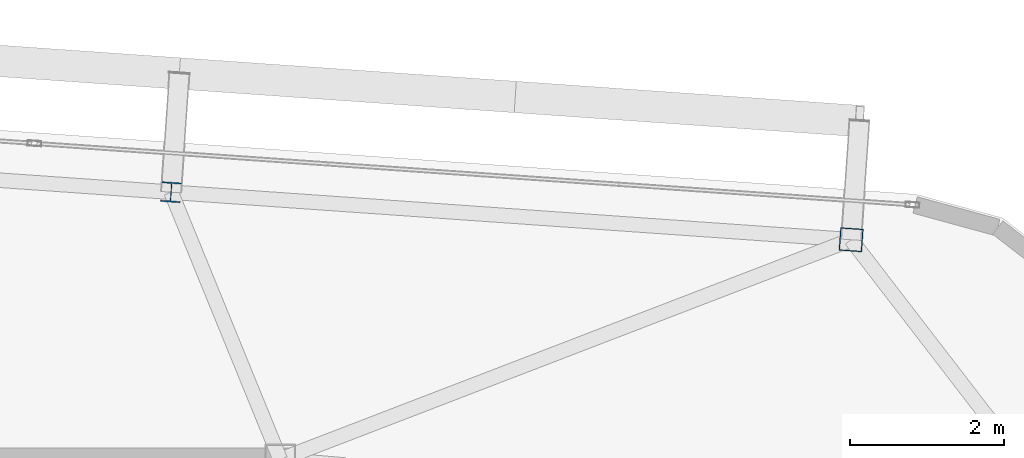
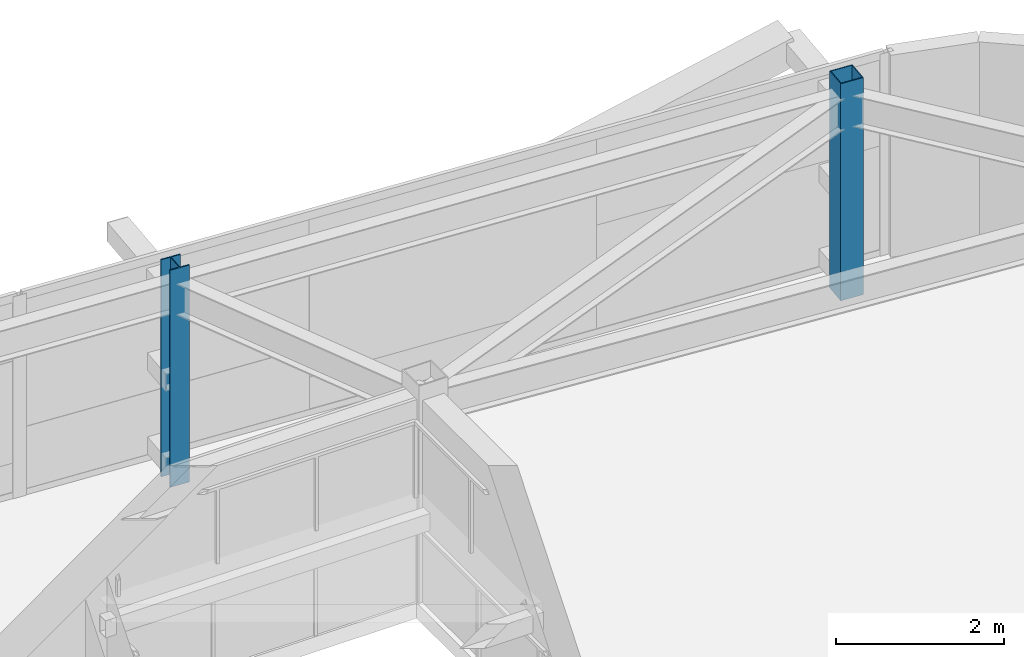
# One storey, part 5 of 39: 2 columns.
"""IFC4 building model written with IfcOpenShell, lengths in metres."""

from ifc_helpers import new_model, si_unit, direction, frame, origin, origin_2d, place, context, subcontext, project, spatial, hollow_rectangle, i_section, extrude, source, transform, mapped, material, material_profile, profile_set, type_object, element, save


model = new_model("IFC4")

# Units and contexts
model_context = context("Model", 3, precision=1e-05, world=origin(), true_north=direction((0.0, 1.0)))
body_context = subcontext(model_context, "Body", "Model", "MODEL_VIEW")
ifc_project = project(units=[si_unit("LENGTHUNIT", "METRE"), si_unit("AREAUNIT", "SQUARE_METRE"), si_unit("VOLUMEUNIT", "CUBIC_METRE"), si_unit("PLANEANGLEUNIT", "RADIAN"), si_unit("MASSUNIT", "GRAM", prefix="KILO")], contexts=[model_context])

# Site, building, storey
site_placement = place(None, origin())
site = spatial("IfcSite", under=ifc_project, at=site_placement, CompositionType="ELEMENT")
building_placement = place(site_placement, origin())
building = spatial("IfcBuilding", under=site, at=building_placement, Name="Taldren Reach Tower", CompositionType="ELEMENT")
storey_placement = place(building_placement, frame((0.0, 0.0, 126.699951171875)))
storey = spatial("IfcBuildingStorey", under=building, at=storey_placement, Name="L38", CompositionType="ELEMENT", Elevation=126.699951171875)

# Columns
ifc_material_1 = material(Name="Steel Gr 450 (C450L0)", Category="steel")
ifc_material_profile_1 = material_profile(ifc_material_1, hollow_rectangle(XDim=0.300048828125, YDim=0.300048828125, WallThickness=0.012451171875, at=origin_2d()), Name="300x300x12.5SHS")
ifc_profile_set_1 = profile_set([ifc_material_profile_1], Name="Steel Gr 450 (C450L0)")
column_type_1 = type_object("IfcColumnType", Name="COL-SHS300", PredefinedType="COLUMN", material=ifc_profile_set_1)
shared_shape_1 = source(origin(), body_context, "Body", "SweptSolid", [
    extrude(hollow_rectangle(XDim=0.300048828125, YDim=0.300048828125, WallThickness=0.012451171875, at=origin_2d()), origin(), (0.0, 0.0, 1.0), 3.150146484375),
])
column_1_placement = place(storey_placement, frame((58.4365234375, 34.861572265625, 0.0), z_axis=(0.0, 0.0, 1.0), x_axis=(0.99756405026, -0.069756473744, 0.0)))
element("IfcColumn", 1, at=column_1_placement, inside=storey, type_object=column_type_1, Name="Block B3 perimeter column N6 L38", PredefinedType="COLUMN", context=body_context, shape_type="MappedRepresentation", body=[
    mapped(shared_shape_1, transform((0.0, 0.0, 0.0), scale=1.0)),
])
ifc_material_2 = material(Name="Steel Gr 350 (350PLUS)", Category="steel")
ifc_material_profile_2 = material_profile(ifc_material_2, i_section(OverallWidth=0.256103515625, OverallDepth=0.260009765625, WebThickness=0.010498046875, FlangeThickness=0.017333984375, at=origin_2d()), Name="250UC89.5")
ifc_profile_set_2 = profile_set([ifc_material_profile_2], Name="Steel Gr 350 (350PLUS)")
column_type_2 = type_object("IfcColumnType", Name="COL-UC250", PredefinedType="COLUMN", material=ifc_profile_set_2)
shared_shape_2 = source(origin(), body_context, "Body", "SweptSolid", [
    extrude(i_section(OverallWidth=0.256103515625, OverallDepth=0.260009765625, WebThickness=0.010498046875, FlangeThickness=0.017333984375, at=origin_2d()), origin(), (0.0, 0.0, 1.0), 3.150146484375),
])
column_2_placement = place(storey_placement, frame((49.578125, 35.48095703125, 0.0), z_axis=(0.0, 0.0, 1.0), x_axis=(0.99756405026, -0.069756473744, 0.0)))
element("IfcColumn", 2, at=column_2_placement, inside=storey, type_object=column_type_2, Name="Block B3 perimeter column N5 L38", PredefinedType="COLUMN", context=body_context, shape_type="MappedRepresentation", body=[
    mapped(shared_shape_2, transform((0.0, 0.0, 0.0), scale=1.0)),
])

save(model, "model.ifc")
